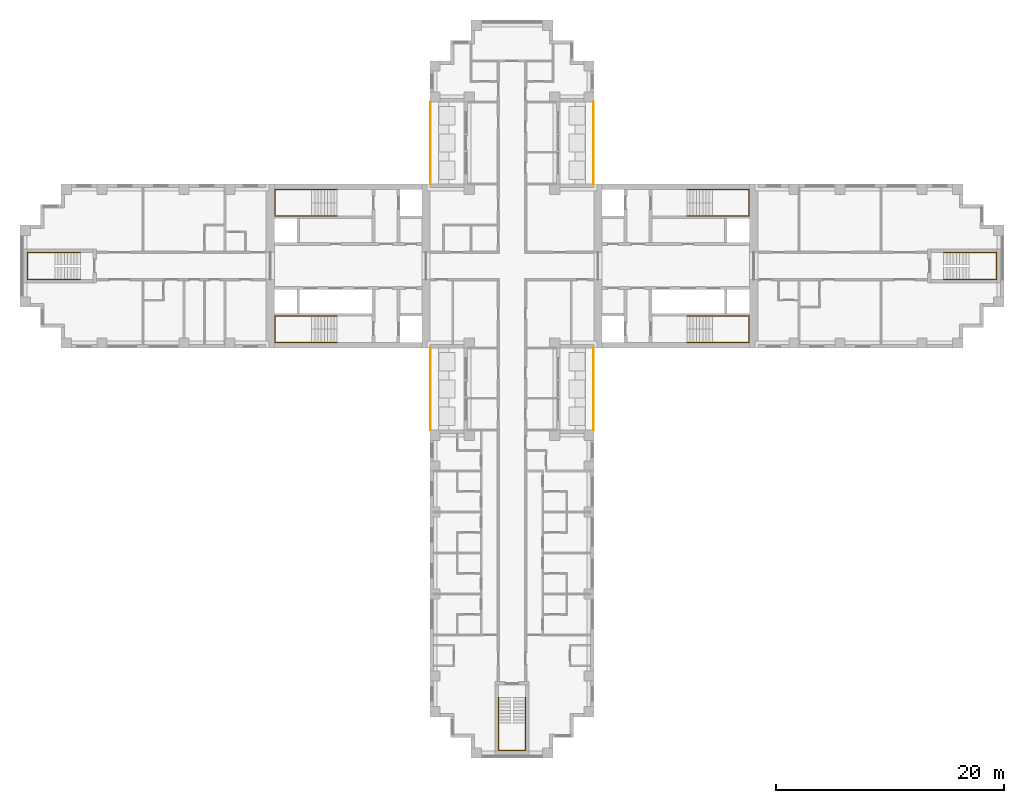
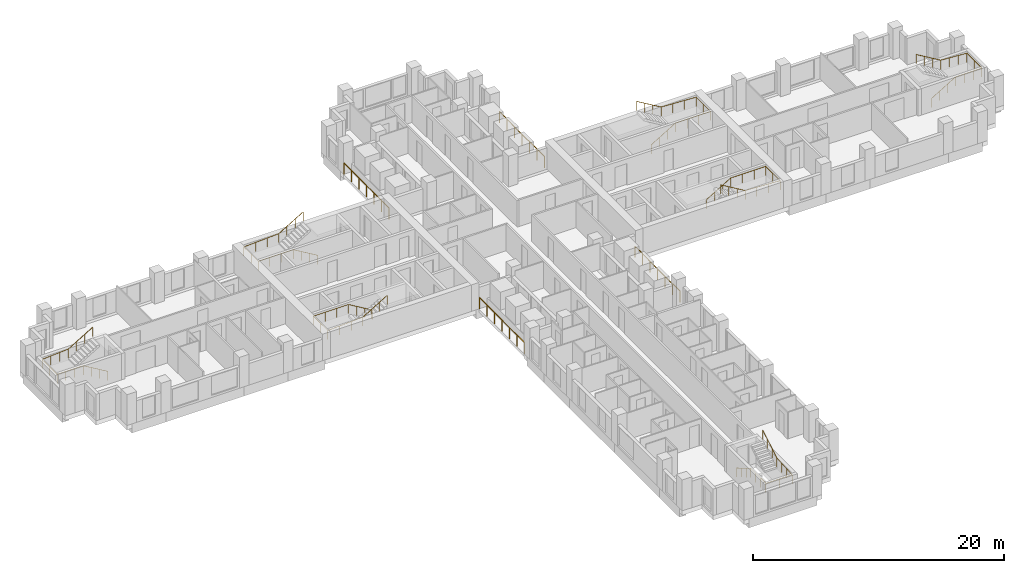
# One storey, part 13 of 14: 11 railings.
"""IFC4 building model written with IfcOpenShell, lengths in metres."""

from ifc_helpers import new_model, si_unit, direction, frame, origin, origin_2d, place, context, subcontext, project, spatial, circle, extrude, material, type_object, element, save


model = new_model("IFC4")

# Units and contexts
model_context = context("Model", 3, precision=1e-05, world=origin(), true_north=direction((0.0, 1.0)))
body_context = subcontext(model_context, "Body", "Model", "MODEL_VIEW")
ifc_project = project(units=[si_unit("LENGTHUNIT", "METRE"), si_unit("AREAUNIT", "SQUARE_METRE"), si_unit("VOLUMEUNIT", "CUBIC_METRE"), si_unit("PLANEANGLEUNIT", "RADIAN"), si_unit("MASSUNIT", "GRAM", prefix="KILO")], contexts=[model_context])

# Site, building, storey
site_placement = place(None, origin())
site = spatial("IfcSite", under=ifc_project, at=site_placement, CompositionType="ELEMENT")
building_placement = place(site_placement, origin())
building = spatial("IfcBuilding", under=site, at=building_placement, Name="Fustian Cross Tower", CompositionType="ELEMENT")
storey_placement = place(building_placement, frame((0.0, 0.0, 72.89990234375)))
storey = spatial("IfcBuildingStorey", under=building, at=storey_placement, Name="L22", CompositionType="ELEMENT", Elevation=72.89990234375)

# Railings
ifc_material_1 = material(Name="Stainless steel and glass", Category="steel")
railing_type_1 = type_object("IfcRailingType", Name="GR1 BALCONY GUARD 1100", PredefinedType="GUARDRAIL", material=ifc_material_1)
for number, where, name in (
    (1, (7.14990234375, 7.199951171875, 0.0), "Balcony guard"),
    (2, (-7.14990234375, 7.199951171875, 0.0), "Balcony guard"),
    (3, (7.14990234375, -14.39990234375, 0.0), "Balcony guard"),
    (4, (-7.14990234375, -14.39990234375, 0.0), "Balcony guard"),
):
    element("IfcRailing", number, at=place(storey_placement, frame(where)), inside=storey, type_object=railing_type_1, Name=name, PredefinedType="GUARDRAIL", context=body_context, shape_type="SweptSolid", body=[
        extrude(circle(Radius=0.02392578125, at=origin_2d()), frame((0.0, 0.0, 1.076171875), z_axis=(0.0, 1.0, 0.0), x_axis=(-1.0, 0.0, 0.0)), (0.0, 0.0, 1.0), 7.199951171875),
        extrude(circle(Radius=0.02099609375, at=origin_2d()), origin(), (0.0, 0.0, 1.0), 1.052001953125),
        extrude(circle(Radius=0.02099609375, at=origin_2d()), frame((0.0, 1.199951171875, 0.0)), (0.0, 0.0, 1.0), 1.052001953125),
        extrude(circle(Radius=0.02099609375, at=origin_2d()), frame((0.0, 2.39990234375, 0.0)), (0.0, 0.0, 1.0), 1.052001953125),
        extrude(circle(Radius=0.02099609375, at=origin_2d()), frame((0.0, 3.60009765625, 0.0)), (0.0, 0.0, 1.0), 1.052001953125),
        extrude(circle(Radius=0.02099609375, at=origin_2d()), frame((0.0, 4.800048828125, 0.0)), (0.0, 0.0, 1.0), 1.052001953125),
        extrude(circle(Radius=0.02099609375, at=origin_2d()), frame((0.0, 6.0, 0.0)), (0.0, 0.0, 1.0), 1.052001953125),
        extrude(circle(Radius=0.02099609375, at=origin_2d()), frame((0.0, 7.199951171875, 0.0)), (0.0, 0.0, 1.0), 1.052001953125),
    ])
ifc_material_2 = material(Name="Stainless steel", Category="steel")
railing_type_2 = type_object("IfcRailingType", Name="STAIR HANDRAIL", PredefinedType="HANDRAIL", material=ifc_material_2)
railing_1_placement = place(storey_placement, frame((15.35009765625, 4.39990234375, 0.166748046875)))
element("IfcRailing", 5, at=railing_1_placement, inside=storey, type_object=railing_type_2, Name="Stair ST1 handrail 1", PredefinedType="HANDRAIL", context=body_context, shape_type="SweptSolid", body=[
    extrude(circle(Radius=0.02490234375, at=origin_2d()), frame((0.0, 0.0, 0.875), z_axis=(0.859305625298, 0.0, 0.511462454469), x_axis=(0.0, 1.0, 0.0)), (0.0, 0.0, 1.0), 2.606689453125),
    extrude(circle(Radius=0.02490234375, at=origin_2d()), frame((2.239990234375, 0.0, 2.2080078125), z_axis=(1.0, 0.0, 0.0), x_axis=(0.0, 1.0, 0.0)), (0.0, 0.0, 1.0), 3.219970703125),
    extrude(circle(Radius=0.02490234375, at=origin_2d()), frame((5.4599609375, 0.0, 2.2080078125), z_axis=(0.0, 1.0, 0.0), x_axis=(-1.0, 0.0, 0.0)), (0.0, 0.0, 1.0), 2.300048828125),
    extrude(circle(Radius=0.02490234375, at=origin_2d()), frame((5.4599609375, 2.300048828125, 2.2080078125), z_axis=(-0.998661817807, 0.0, 0.051716280352), x_axis=(0.0, -1.0, 0.0)), (0.0, 0.0, 1.0), 3.224365234375),
    extrude(circle(Radius=0.02490234375, at=origin_2d()), frame((2.239990234375, 2.300048828125, 2.375), z_axis=(-0.859305625298, 0.0, 0.511462454469), x_axis=(0.0, -1.0, 0.0)), (0.0, 0.0, 1.0), 2.606689453125),
    extrude(circle(Radius=0.02001953125, at=origin_2d()), origin(), (0.0, 0.0, 1.0), 0.849853515625),
    extrude(circle(Radius=0.02001953125, at=origin_2d()), frame((0.74658203125, 0.0, 0.4443359375)), (0.0, 0.0, 1.0), 0.849853515625),
    extrude(circle(Radius=0.02001953125, at=origin_2d()), frame((1.493408203125, 0.0, 0.888916015625)), (0.0, 0.0, 1.0), 0.849853515625),
    extrude(circle(Radius=0.02001953125, at=origin_2d()), frame((2.239990234375, 0.0, 1.333251953125)), (0.0, 0.0, 1.0), 0.849853515625),
    extrude(circle(Radius=0.02001953125, at=origin_2d()), frame((3.313232421875, 0.0, 1.333251953125)), (0.0, 0.0, 1.0), 0.849853515625),
    extrude(circle(Radius=0.02001953125, at=origin_2d()), frame((4.38671875, 0.0, 1.333251953125)), (0.0, 0.0, 1.0), 0.849853515625),
    extrude(circle(Radius=0.02001953125, at=origin_2d()), frame((5.4599609375, 0.0, 1.333251953125)), (0.0, 0.0, 1.0), 0.849853515625),
    extrude(circle(Radius=0.02001953125, at=origin_2d()), frame((5.4599609375, 1.14990234375, 1.333251953125)), (0.0, 0.0, 1.0), 0.849853515625),
    extrude(circle(Radius=0.02001953125, at=origin_2d()), frame((5.4599609375, 2.300048828125, 1.333251953125)), (0.0, 0.0, 1.0), 0.849853515625),
    extrude(circle(Radius=0.02001953125, at=origin_2d()), frame((4.38671875, 2.300048828125, 1.388916015625)), (0.0, 0.0, 1.0), 0.849853515625),
    extrude(circle(Radius=0.02001953125, at=origin_2d()), frame((3.313232421875, 2.300048828125, 1.4443359375)), (0.0, 0.0, 1.0), 0.849853515625),
    extrude(circle(Radius=0.02001953125, at=origin_2d()), frame((2.239990234375, 2.300048828125, 1.5)), (0.0, 0.0, 1.0), 0.849853515625),
    extrude(circle(Radius=0.02001953125, at=origin_2d()), frame((1.493408203125, 2.300048828125, 1.9443359375)), (0.0, 0.0, 1.0), 0.849853515625),
    extrude(circle(Radius=0.02001953125, at=origin_2d()), frame((0.74658203125, 2.300048828125, 2.388916015625)), (0.0, 0.0, 1.0), 0.849853515625),
    extrude(circle(Radius=0.02001953125, at=origin_2d()), frame((0.0, 2.300048828125, 2.833251953125)), (0.0, 0.0, 1.0), 0.849853515625),
])
railing_2_placement = place(storey_placement, frame((15.35009765625, -4.39990234375, 0.166748046875)))
element("IfcRailing", 6, at=railing_2_placement, inside=storey, type_object=railing_type_2, Name="Stair ST2 handrail 1", PredefinedType="HANDRAIL", context=body_context, shape_type="SweptSolid", body=[
    extrude(circle(Radius=0.02490234375, at=origin_2d()), frame((0.0, 0.0, 0.875), z_axis=(0.859305625298, 0.0, 0.511462454469), x_axis=(0.0, 1.0, 0.0)), (0.0, 0.0, 1.0), 2.606689453125),
    extrude(circle(Radius=0.02490234375, at=origin_2d()), frame((2.239990234375, 0.0, 2.2080078125), z_axis=(1.0, 0.0, 0.0), x_axis=(0.0, 1.0, 0.0)), (0.0, 0.0, 1.0), 3.219970703125),
    extrude(circle(Radius=0.02490234375, at=origin_2d()), frame((5.4599609375, 0.0, 2.2080078125), z_axis=(0.0, -1.0, 0.0), x_axis=(1.0, 0.0, 0.0)), (0.0, 0.0, 1.0), 2.300048828125),
    extrude(circle(Radius=0.02490234375, at=origin_2d()), frame((5.4599609375, -2.300048828125, 2.2080078125), z_axis=(-0.998661817807, 0.0, 0.051716280352), x_axis=(0.0, -1.0, 0.0)), (0.0, 0.0, 1.0), 3.224365234375),
    extrude(circle(Radius=0.02490234375, at=origin_2d()), frame((2.239990234375, -2.300048828125, 2.375), z_axis=(-0.859305625298, 0.0, 0.511462454469), x_axis=(0.0, -1.0, 0.0)), (0.0, 0.0, 1.0), 2.606689453125),
    extrude(circle(Radius=0.02001953125, at=origin_2d()), origin(), (0.0, 0.0, 1.0), 0.849853515625),
    extrude(circle(Radius=0.02001953125, at=origin_2d()), frame((0.74658203125, 0.0, 0.4443359375)), (0.0, 0.0, 1.0), 0.849853515625),
    extrude(circle(Radius=0.02001953125, at=origin_2d()), frame((1.493408203125, 0.0, 0.888916015625)), (0.0, 0.0, 1.0), 0.849853515625),
    extrude(circle(Radius=0.02001953125, at=origin_2d()), frame((2.239990234375, 0.0, 1.333251953125)), (0.0, 0.0, 1.0), 0.849853515625),
    extrude(circle(Radius=0.02001953125, at=origin_2d()), frame((3.313232421875, 0.0, 1.333251953125)), (0.0, 0.0, 1.0), 0.849853515625),
    extrude(circle(Radius=0.02001953125, at=origin_2d()), frame((4.38671875, 0.0, 1.333251953125)), (0.0, 0.0, 1.0), 0.849853515625),
    extrude(circle(Radius=0.02001953125, at=origin_2d()), frame((5.4599609375, 0.0, 1.333251953125)), (0.0, 0.0, 1.0), 0.849853515625),
    extrude(circle(Radius=0.02001953125, at=origin_2d()), frame((5.4599609375, -1.14990234375, 1.333251953125)), (0.0, 0.0, 1.0), 0.849853515625),
    extrude(circle(Radius=0.02001953125, at=origin_2d()), frame((5.4599609375, -2.300048828125, 1.333251953125)), (0.0, 0.0, 1.0), 0.849853515625),
    extrude(circle(Radius=0.02001953125, at=origin_2d()), frame((4.38671875, -2.300048828125, 1.388916015625)), (0.0, 0.0, 1.0), 0.849853515625),
    extrude(circle(Radius=0.02001953125, at=origin_2d()), frame((3.313232421875, -2.300048828125, 1.4443359375)), (0.0, 0.0, 1.0), 0.849853515625),
    extrude(circle(Radius=0.02001953125, at=origin_2d()), frame((2.239990234375, -2.300048828125, 1.5)), (0.0, 0.0, 1.0), 0.849853515625),
    extrude(circle(Radius=0.02001953125, at=origin_2d()), frame((1.493408203125, -2.300048828125, 1.9443359375)), (0.0, 0.0, 1.0), 0.849853515625),
    extrude(circle(Radius=0.02001953125, at=origin_2d()), frame((0.74658203125, -2.300048828125, 2.388916015625)), (0.0, 0.0, 1.0), 0.849853515625),
    extrude(circle(Radius=0.02001953125, at=origin_2d()), frame((0.0, -2.300048828125, 2.833251953125)), (0.0, 0.0, 1.0), 0.849853515625),
])
railing_3_placement = place(storey_placement, frame((-15.35009765625, 4.39990234375, 0.166748046875)))
element("IfcRailing", 7, at=railing_3_placement, inside=storey, type_object=railing_type_2, Name="Stair ST3 handrail 1", PredefinedType="HANDRAIL", context=body_context, shape_type="SweptSolid", body=[
    extrude(circle(Radius=0.02490234375, at=origin_2d()), frame((0.0, 0.0, 0.875), z_axis=(-0.859305625298, 0.0, 0.511462454469), x_axis=(0.0, -1.0, 0.0)), (0.0, 0.0, 1.0), 2.606689453125),
    extrude(circle(Radius=0.02490234375, at=origin_2d()), frame((-2.239990234375, 0.0, 2.2080078125), z_axis=(-1.0, 0.0, 0.0), x_axis=(0.0, -1.0, 0.0)), (0.0, 0.0, 1.0), 3.219970703125),
    extrude(circle(Radius=0.02490234375, at=origin_2d()), frame((-5.4599609375, 0.0, 2.2080078125), z_axis=(0.0, 1.0, 0.0), x_axis=(-1.0, 0.0, 0.0)), (0.0, 0.0, 1.0), 2.300048828125),
    extrude(circle(Radius=0.02490234375, at=origin_2d()), frame((-5.4599609375, 2.300048828125, 2.2080078125), z_axis=(0.998661817807, 0.0, 0.051716280352), x_axis=(0.0, 1.0, 0.0)), (0.0, 0.0, 1.0), 3.224365234375),
    extrude(circle(Radius=0.02490234375, at=origin_2d()), frame((-2.239990234375, 2.300048828125, 2.375), z_axis=(0.859305625298, 0.0, 0.511462454469), x_axis=(0.0, 1.0, 0.0)), (0.0, 0.0, 1.0), 2.606689453125),
    extrude(circle(Radius=0.02001953125, at=origin_2d()), origin(), (0.0, 0.0, 1.0), 0.849853515625),
    extrude(circle(Radius=0.02001953125, at=origin_2d()), frame((-0.74658203125, 0.0, 0.4443359375)), (0.0, 0.0, 1.0), 0.849853515625),
    extrude(circle(Radius=0.02001953125, at=origin_2d()), frame((-1.493408203125, 0.0, 0.888916015625)), (0.0, 0.0, 1.0), 0.849853515625),
    extrude(circle(Radius=0.02001953125, at=origin_2d()), frame((-2.239990234375, 0.0, 1.333251953125)), (0.0, 0.0, 1.0), 0.849853515625),
    extrude(circle(Radius=0.02001953125, at=origin_2d()), frame((-3.313232421875, 0.0, 1.333251953125)), (0.0, 0.0, 1.0), 0.849853515625),
    extrude(circle(Radius=0.02001953125, at=origin_2d()), frame((-4.38671875, 0.0, 1.333251953125)), (0.0, 0.0, 1.0), 0.849853515625),
    extrude(circle(Radius=0.02001953125, at=origin_2d()), frame((-5.4599609375, 0.0, 1.333251953125)), (0.0, 0.0, 1.0), 0.849853515625),
    extrude(circle(Radius=0.02001953125, at=origin_2d()), frame((-5.4599609375, 1.14990234375, 1.333251953125)), (0.0, 0.0, 1.0), 0.849853515625),
    extrude(circle(Radius=0.02001953125, at=origin_2d()), frame((-5.4599609375, 2.300048828125, 1.333251953125)), (0.0, 0.0, 1.0), 0.849853515625),
    extrude(circle(Radius=0.02001953125, at=origin_2d()), frame((-4.38671875, 2.300048828125, 1.388916015625)), (0.0, 0.0, 1.0), 0.849853515625),
    extrude(circle(Radius=0.02001953125, at=origin_2d()), frame((-3.313232421875, 2.300048828125, 1.4443359375)), (0.0, 0.0, 1.0), 0.849853515625),
    extrude(circle(Radius=0.02001953125, at=origin_2d()), frame((-2.239990234375, 2.300048828125, 1.5)), (0.0, 0.0, 1.0), 0.849853515625),
    extrude(circle(Radius=0.02001953125, at=origin_2d()), frame((-1.493408203125, 2.300048828125, 1.9443359375)), (0.0, 0.0, 1.0), 0.849853515625),
    extrude(circle(Radius=0.02001953125, at=origin_2d()), frame((-0.74658203125, 2.300048828125, 2.388916015625)), (0.0, 0.0, 1.0), 0.849853515625),
    extrude(circle(Radius=0.02001953125, at=origin_2d()), frame((0.0, 2.300048828125, 2.833251953125)), (0.0, 0.0, 1.0), 0.849853515625),
])
railing_4_placement = place(storey_placement, frame((-15.35009765625, -4.39990234375, 0.166748046875)))
element("IfcRailing", 8, at=railing_4_placement, inside=storey, type_object=railing_type_2, Name="Stair ST4 handrail 1", PredefinedType="HANDRAIL", context=body_context, shape_type="SweptSolid", body=[
    extrude(circle(Radius=0.02490234375, at=origin_2d()), frame((0.0, 0.0, 0.875), z_axis=(-0.859305625298, 0.0, 0.511462454469), x_axis=(0.0, -1.0, 0.0)), (0.0, 0.0, 1.0), 2.606689453125),
    extrude(circle(Radius=0.02490234375, at=origin_2d()), frame((-2.239990234375, 0.0, 2.2080078125), z_axis=(-1.0, 0.0, 0.0), x_axis=(0.0, -1.0, 0.0)), (0.0, 0.0, 1.0), 3.219970703125),
    extrude(circle(Radius=0.02490234375, at=origin_2d()), frame((-5.4599609375, 0.0, 2.2080078125), z_axis=(0.0, -1.0, 0.0), x_axis=(1.0, 0.0, 0.0)), (0.0, 0.0, 1.0), 2.300048828125),
    extrude(circle(Radius=0.02490234375, at=origin_2d()), frame((-5.4599609375, -2.300048828125, 2.2080078125), z_axis=(0.998661817807, 0.0, 0.051716280352), x_axis=(0.0, 1.0, 0.0)), (0.0, 0.0, 1.0), 3.224365234375),
    extrude(circle(Radius=0.02490234375, at=origin_2d()), frame((-2.239990234375, -2.300048828125, 2.375), z_axis=(0.859305625298, 0.0, 0.511462454469), x_axis=(0.0, 1.0, 0.0)), (0.0, 0.0, 1.0), 2.606689453125),
    extrude(circle(Radius=0.02001953125, at=origin_2d()), origin(), (0.0, 0.0, 1.0), 0.849853515625),
    extrude(circle(Radius=0.02001953125, at=origin_2d()), frame((-0.74658203125, 0.0, 0.4443359375)), (0.0, 0.0, 1.0), 0.849853515625),
    extrude(circle(Radius=0.02001953125, at=origin_2d()), frame((-1.493408203125, 0.0, 0.888916015625)), (0.0, 0.0, 1.0), 0.849853515625),
    extrude(circle(Radius=0.02001953125, at=origin_2d()), frame((-2.239990234375, 0.0, 1.333251953125)), (0.0, 0.0, 1.0), 0.849853515625),
    extrude(circle(Radius=0.02001953125, at=origin_2d()), frame((-3.313232421875, 0.0, 1.333251953125)), (0.0, 0.0, 1.0), 0.849853515625),
    extrude(circle(Radius=0.02001953125, at=origin_2d()), frame((-4.38671875, 0.0, 1.333251953125)), (0.0, 0.0, 1.0), 0.849853515625),
    extrude(circle(Radius=0.02001953125, at=origin_2d()), frame((-5.4599609375, 0.0, 1.333251953125)), (0.0, 0.0, 1.0), 0.849853515625),
    extrude(circle(Radius=0.02001953125, at=origin_2d()), frame((-5.4599609375, -1.14990234375, 1.333251953125)), (0.0, 0.0, 1.0), 0.849853515625),
    extrude(circle(Radius=0.02001953125, at=origin_2d()), frame((-5.4599609375, -2.300048828125, 1.333251953125)), (0.0, 0.0, 1.0), 0.849853515625),
    extrude(circle(Radius=0.02001953125, at=origin_2d()), frame((-4.38671875, -2.300048828125, 1.388916015625)), (0.0, 0.0, 1.0), 0.849853515625),
    extrude(circle(Radius=0.02001953125, at=origin_2d()), frame((-3.313232421875, -2.300048828125, 1.4443359375)), (0.0, 0.0, 1.0), 0.849853515625),
    extrude(circle(Radius=0.02001953125, at=origin_2d()), frame((-2.239990234375, -2.300048828125, 1.5)), (0.0, 0.0, 1.0), 0.849853515625),
    extrude(circle(Radius=0.02001953125, at=origin_2d()), frame((-1.493408203125, -2.300048828125, 1.9443359375)), (0.0, 0.0, 1.0), 0.849853515625),
    extrude(circle(Radius=0.02001953125, at=origin_2d()), frame((-0.74658203125, -2.300048828125, 2.388916015625)), (0.0, 0.0, 1.0), 0.849853515625),
    extrude(circle(Radius=0.02001953125, at=origin_2d()), frame((0.0, -2.300048828125, 2.833251953125)), (0.0, 0.0, 1.0), 0.849853515625),
])
railing_5_placement = place(storey_placement, frame((-1.199951171875, -37.89990234375, 0.166748046875)))
element("IfcRailing", 9, at=railing_5_placement, inside=storey, type_object=railing_type_2, Name="Stair ST6 handrail 1", PredefinedType="HANDRAIL", context=body_context, shape_type="SweptSolid", body=[
    extrude(circle(Radius=0.02490234375, at=origin_2d()), frame((0.0, 0.0, 0.875), z_axis=(0.0, -0.859305625298, 0.511462454469), x_axis=(1.0, 0.0, 0.0)), (0.0, 0.0, 1.0), 2.606689453125),
    extrude(circle(Radius=0.02490234375, at=origin_2d()), frame((0.0, -2.239990234375, 2.2080078125), z_axis=(0.0, -1.0, 0.0), x_axis=(1.0, 0.0, 0.0)), (0.0, 0.0, 1.0), 2.420166015625),
    extrude(circle(Radius=0.02490234375, at=origin_2d()), frame((0.0, -4.66015625, 2.2080078125), z_axis=(1.0, 0.0, 0.0), x_axis=(0.0, 1.0, 0.0)), (0.0, 0.0, 1.0), 2.39990234375),
    extrude(circle(Radius=0.02490234375, at=origin_2d()), frame((2.39990234375, -4.66015625, 2.2080078125), z_axis=(0.0, 0.997634852044, 0.068736467663), x_axis=(-1.0, 0.0, 0.0)), (0.0, 0.0, 1.0), 2.426025390625),
    extrude(circle(Radius=0.02490234375, at=origin_2d()), frame((2.39990234375, -2.239990234375, 2.375), z_axis=(0.0, 0.859305625298, 0.511462454469), x_axis=(-1.0, 0.0, 0.0)), (0.0, 0.0, 1.0), 2.606689453125),
    extrude(circle(Radius=0.02001953125, at=origin_2d()), origin(), (0.0, 0.0, 1.0), 0.849853515625),
    extrude(circle(Radius=0.02001953125, at=origin_2d()), frame((0.0, -0.74658203125, 0.4443359375)), (0.0, 0.0, 1.0), 0.849853515625),
    extrude(circle(Radius=0.02001953125, at=origin_2d()), frame((0.0, -1.493408203125, 0.888916015625)), (0.0, 0.0, 1.0), 0.849853515625),
    extrude(circle(Radius=0.02001953125, at=origin_2d()), frame((0.0, -2.239990234375, 1.333251953125)), (0.0, 0.0, 1.0), 0.849853515625),
    extrude(circle(Radius=0.02001953125, at=origin_2d()), frame((0.0, -3.046630859375, 1.333251953125)), (0.0, 0.0, 1.0), 0.849853515625),
    extrude(circle(Radius=0.02001953125, at=origin_2d()), frame((0.0, -3.853515625, 1.333251953125)), (0.0, 0.0, 1.0), 0.849853515625),
    extrude(circle(Radius=0.02001953125, at=origin_2d()), frame((0.0, -4.66015625, 1.333251953125)), (0.0, 0.0, 1.0), 0.849853515625),
    extrude(circle(Radius=0.02001953125, at=origin_2d()), frame((1.199951171875, -4.66015625, 1.333251953125)), (0.0, 0.0, 1.0), 0.849853515625),
    extrude(circle(Radius=0.02001953125, at=origin_2d()), frame((2.39990234375, -4.66015625, 1.333251953125)), (0.0, 0.0, 1.0), 0.849853515625),
    extrude(circle(Radius=0.02001953125, at=origin_2d()), frame((2.39990234375, -3.853515625, 1.388916015625)), (0.0, 0.0, 1.0), 0.849853515625),
    extrude(circle(Radius=0.02001953125, at=origin_2d()), frame((2.39990234375, -3.046630859375, 1.4443359375)), (0.0, 0.0, 1.0), 0.849853515625),
    extrude(circle(Radius=0.02001953125, at=origin_2d()), frame((2.39990234375, -2.239990234375, 1.5)), (0.0, 0.0, 1.0), 0.849853515625),
    extrude(circle(Radius=0.02001953125, at=origin_2d()), frame((2.39990234375, -1.493408203125, 1.9443359375)), (0.0, 0.0, 1.0), 0.849853515625),
    extrude(circle(Radius=0.02001953125, at=origin_2d()), frame((2.39990234375, -0.74658203125, 2.388916015625)), (0.0, 0.0, 1.0), 0.849853515625),
    extrude(circle(Radius=0.02001953125, at=origin_2d()), frame((2.39990234375, 0.0, 2.833251953125)), (0.0, 0.0, 1.0), 0.849853515625),
])
railing_6_placement = place(storey_placement, frame((37.89990234375, -1.199951171875, 0.166748046875)))
element("IfcRailing", 10, at=railing_6_placement, inside=storey, type_object=railing_type_2, Name="Stair ST8 handrail 1", PredefinedType="HANDRAIL", context=body_context, shape_type="SweptSolid", body=[
    extrude(circle(Radius=0.02490234375, at=origin_2d()), frame((0.0, 0.0, 0.875), z_axis=(0.859305625298, 0.0, 0.511462454469), x_axis=(0.0, 1.0, 0.0)), (0.0, 0.0, 1.0), 2.606689453125),
    extrude(circle(Radius=0.02490234375, at=origin_2d()), frame((2.239990234375, 0.0, 2.2080078125), z_axis=(1.0, 0.0, 0.0), x_axis=(0.0, 1.0, 0.0)), (0.0, 0.0, 1.0), 2.420166015625),
    extrude(circle(Radius=0.02490234375, at=origin_2d()), frame((4.66015625, 0.0, 2.2080078125), z_axis=(0.0, 1.0, 0.0), x_axis=(-1.0, 0.0, 0.0)), (0.0, 0.0, 1.0), 2.39990234375),
    extrude(circle(Radius=0.02490234375, at=origin_2d()), frame((4.66015625, 2.39990234375, 2.2080078125), z_axis=(-0.997634852044, 0.0, 0.068736467663), x_axis=(0.0, -1.0, 0.0)), (0.0, 0.0, 1.0), 2.426025390625),
    extrude(circle(Radius=0.02490234375, at=origin_2d()), frame((2.239990234375, 2.39990234375, 2.375), z_axis=(-0.859305625298, 0.0, 0.511462454469), x_axis=(0.0, -1.0, 0.0)), (0.0, 0.0, 1.0), 2.606689453125),
    extrude(circle(Radius=0.02001953125, at=origin_2d()), origin(), (0.0, 0.0, 1.0), 0.849853515625),
    extrude(circle(Radius=0.02001953125, at=origin_2d()), frame((0.74658203125, 0.0, 0.4443359375)), (0.0, 0.0, 1.0), 0.849853515625),
    extrude(circle(Radius=0.02001953125, at=origin_2d()), frame((1.493408203125, 0.0, 0.888916015625)), (0.0, 0.0, 1.0), 0.849853515625),
    extrude(circle(Radius=0.02001953125, at=origin_2d()), frame((2.239990234375, 0.0, 1.333251953125)), (0.0, 0.0, 1.0), 0.849853515625),
    extrude(circle(Radius=0.02001953125, at=origin_2d()), frame((3.046630859375, 0.0, 1.333251953125)), (0.0, 0.0, 1.0), 0.849853515625),
    extrude(circle(Radius=0.02001953125, at=origin_2d()), frame((3.853515625, 0.0, 1.333251953125)), (0.0, 0.0, 1.0), 0.849853515625),
    extrude(circle(Radius=0.02001953125, at=origin_2d()), frame((4.66015625, 0.0, 1.333251953125)), (0.0, 0.0, 1.0), 0.849853515625),
    extrude(circle(Radius=0.02001953125, at=origin_2d()), frame((4.66015625, 1.199951171875, 1.333251953125)), (0.0, 0.0, 1.0), 0.849853515625),
    extrude(circle(Radius=0.02001953125, at=origin_2d()), frame((4.66015625, 2.39990234375, 1.333251953125)), (0.0, 0.0, 1.0), 0.849853515625),
    extrude(circle(Radius=0.02001953125, at=origin_2d()), frame((3.853515625, 2.39990234375, 1.388916015625)), (0.0, 0.0, 1.0), 0.849853515625),
    extrude(circle(Radius=0.02001953125, at=origin_2d()), frame((3.046630859375, 2.39990234375, 1.4443359375)), (0.0, 0.0, 1.0), 0.849853515625),
    extrude(circle(Radius=0.02001953125, at=origin_2d()), frame((2.239990234375, 2.39990234375, 1.5)), (0.0, 0.0, 1.0), 0.849853515625),
    extrude(circle(Radius=0.02001953125, at=origin_2d()), frame((1.493408203125, 2.39990234375, 1.9443359375)), (0.0, 0.0, 1.0), 0.849853515625),
    extrude(circle(Radius=0.02001953125, at=origin_2d()), frame((0.74658203125, 2.39990234375, 2.388916015625)), (0.0, 0.0, 1.0), 0.849853515625),
    extrude(circle(Radius=0.02001953125, at=origin_2d()), frame((0.0, 2.39990234375, 2.833251953125)), (0.0, 0.0, 1.0), 0.849853515625),
])
railing_7_placement = place(storey_placement, frame((-37.89990234375, -1.199951171875, 0.166748046875)))
element("IfcRailing", 11, at=railing_7_placement, inside=storey, type_object=railing_type_2, Name="Stair ST9 handrail 1", PredefinedType="HANDRAIL", context=body_context, shape_type="SweptSolid", body=[
    extrude(circle(Radius=0.02490234375, at=origin_2d()), frame((0.0, 0.0, 0.875), z_axis=(-0.859305625298, 0.0, 0.511462454469), x_axis=(0.0, -1.0, 0.0)), (0.0, 0.0, 1.0), 2.606689453125),
    extrude(circle(Radius=0.02490234375, at=origin_2d()), frame((-2.239990234375, 0.0, 2.2080078125), z_axis=(-1.0, 0.0, 0.0), x_axis=(0.0, -1.0, 0.0)), (0.0, 0.0, 1.0), 2.420166015625),
    extrude(circle(Radius=0.02490234375, at=origin_2d()), frame((-4.66015625, 0.0, 2.2080078125), z_axis=(0.0, 1.0, 0.0), x_axis=(-1.0, 0.0, 0.0)), (0.0, 0.0, 1.0), 2.39990234375),
    extrude(circle(Radius=0.02490234375, at=origin_2d()), frame((-4.66015625, 2.39990234375, 2.2080078125), z_axis=(0.997634852044, 0.0, 0.068736467663), x_axis=(0.0, 1.0, 0.0)), (0.0, 0.0, 1.0), 2.426025390625),
    extrude(circle(Radius=0.02490234375, at=origin_2d()), frame((-2.239990234375, 2.39990234375, 2.375), z_axis=(0.859305625298, 0.0, 0.511462454469), x_axis=(0.0, 1.0, 0.0)), (0.0, 0.0, 1.0), 2.606689453125),
    extrude(circle(Radius=0.02001953125, at=origin_2d()), origin(), (0.0, 0.0, 1.0), 0.849853515625),
    extrude(circle(Radius=0.02001953125, at=origin_2d()), frame((-0.74658203125, 0.0, 0.4443359375)), (0.0, 0.0, 1.0), 0.849853515625),
    extrude(circle(Radius=0.02001953125, at=origin_2d()), frame((-1.493408203125, 0.0, 0.888916015625)), (0.0, 0.0, 1.0), 0.849853515625),
    extrude(circle(Radius=0.02001953125, at=origin_2d()), frame((-2.239990234375, 0.0, 1.333251953125)), (0.0, 0.0, 1.0), 0.849853515625),
    extrude(circle(Radius=0.02001953125, at=origin_2d()), frame((-3.046630859375, 0.0, 1.333251953125)), (0.0, 0.0, 1.0), 0.849853515625),
    extrude(circle(Radius=0.02001953125, at=origin_2d()), frame((-3.853515625, 0.0, 1.333251953125)), (0.0, 0.0, 1.0), 0.849853515625),
    extrude(circle(Radius=0.02001953125, at=origin_2d()), frame((-4.66015625, 0.0, 1.333251953125)), (0.0, 0.0, 1.0), 0.849853515625),
    extrude(circle(Radius=0.02001953125, at=origin_2d()), frame((-4.66015625, 1.199951171875, 1.333251953125)), (0.0, 0.0, 1.0), 0.849853515625),
    extrude(circle(Radius=0.02001953125, at=origin_2d()), frame((-4.66015625, 2.39990234375, 1.333251953125)), (0.0, 0.0, 1.0), 0.849853515625),
    extrude(circle(Radius=0.02001953125, at=origin_2d()), frame((-3.853515625, 2.39990234375, 1.388916015625)), (0.0, 0.0, 1.0), 0.849853515625),
    extrude(circle(Radius=0.02001953125, at=origin_2d()), frame((-3.046630859375, 2.39990234375, 1.4443359375)), (0.0, 0.0, 1.0), 0.849853515625),
    extrude(circle(Radius=0.02001953125, at=origin_2d()), frame((-2.239990234375, 2.39990234375, 1.5)), (0.0, 0.0, 1.0), 0.849853515625),
    extrude(circle(Radius=0.02001953125, at=origin_2d()), frame((-1.493408203125, 2.39990234375, 1.9443359375)), (0.0, 0.0, 1.0), 0.849853515625),
    extrude(circle(Radius=0.02001953125, at=origin_2d()), frame((-0.74658203125, 2.39990234375, 2.388916015625)), (0.0, 0.0, 1.0), 0.849853515625),
    extrude(circle(Radius=0.02001953125, at=origin_2d()), frame((0.0, 2.39990234375, 2.833251953125)), (0.0, 0.0, 1.0), 0.849853515625),
])

save(model, "model.ifc")
